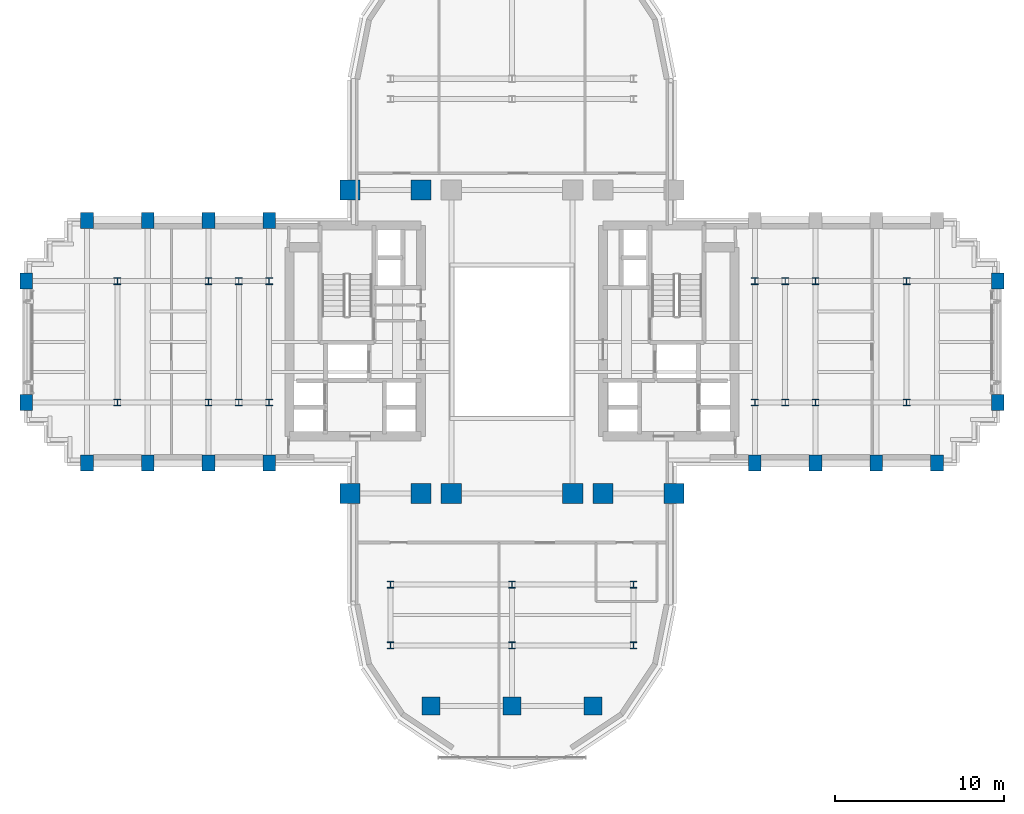
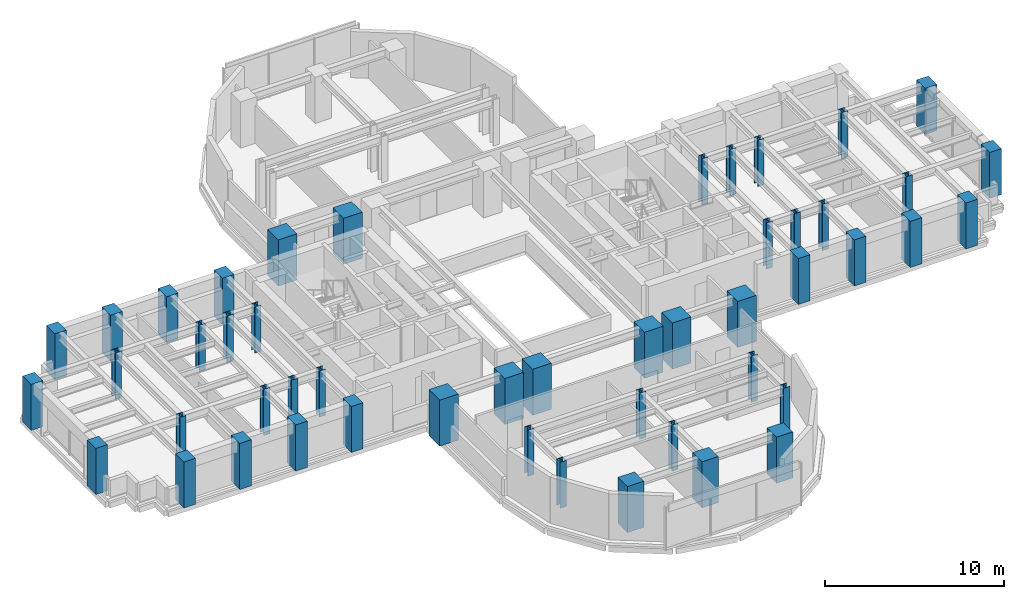
# One storey, part 1 of 16: 49 columns.
"""IFC4 building model written with IfcOpenShell, lengths in metres."""

from ifc_helpers import new_model, si_unit, direction, frame, origin, origin_2d, place, context, subcontext, project, spatial, rectangle, i_section, extrude, source, transform, mapped, material, material_profile, profile_set, type_object, element, save


model = new_model("IFC4")

# Units and contexts
model_context = context("Model", 3, precision=1e-05, world=origin(), true_north=direction((0.0, 1.0)))
body_context = subcontext(model_context, "Body", "Model", "MODEL_VIEW")
ifc_project = project(units=[si_unit("LENGTHUNIT", "METRE"), si_unit("AREAUNIT", "SQUARE_METRE"), si_unit("VOLUMEUNIT", "CUBIC_METRE"), si_unit("PLANEANGLEUNIT", "RADIAN"), si_unit("MASSUNIT", "GRAM", prefix="KILO")], contexts=[model_context])

# Site, building, storey
site_placement = place(None, origin())
site = spatial("IfcSite", under=ifc_project, at=site_placement, CompositionType="ELEMENT")
building_placement = place(site_placement, origin())
building = spatial("IfcBuilding", under=site, at=building_placement, Name="Keilestroom Media Tower", CompositionType="ELEMENT")
storey_placement = place(building_placement, frame((0.0, 0.0, 85.0)))
storey = spatial("IfcBuildingStorey", under=building, at=storey_placement, Name="L22", CompositionType="ELEMENT", Elevation=85.0)

# Columns
ifc_material_1 = material(Name="Precast concrete C40/50", Category="concrete")
ifc_material_profile_1 = material_profile(ifc_material_1, rectangle(XDim=0.75, YDim=0.949951171875, at=origin_2d()), Name="PC 950x750")
ifc_profile_set_1 = profile_set([ifc_material_profile_1], Name="Precast concrete C40/50")
column_type_1 = type_object("IfcColumnType", Name="Structural-Column-PC-950x750", PredefinedType="COLUMN", material=ifc_profile_set_1)
shared_shape_1 = source(origin(), body_context, "Body", "SweptSolid", [
    extrude(rectangle(XDim=0.75, YDim=0.949951171875, at=origin_2d()), origin(), (0.0, 0.0, 1.0), 3.139892578125),
])
for number, where, z_axis, x_axis, name in (
    (1, (-28.800048828125, -3.60009765625, 0.0), (0.0, 0.0, 1.0), (1.0, 0.0, 0.0), "L22 Column PC-1 (-28.8,-3.6)"),
    (2, (-28.800048828125, 3.60009765625, 0.0), (0.0, 0.0, 1.0), (1.0, 0.0, 0.0), "L22 Column PC-1 (-28.8,+3.6)"),
    (3, (-25.199951171875, -7.199951171875, 0.0), (0.0, 0.0, 1.0), (1.0, 0.0, 0.0), "L22 Column PC-1 (-25.2,-7.2)"),
    (4, (-25.199951171875, 7.199951171875, 0.0), (0.0, 0.0, 1.0), (1.0, 0.0, 0.0), "L22 Column PC-1 (-25.2,+7.2)"),
    (5, (-21.60009765625, -7.199951171875, 0.0), (0.0, 0.0, 1.0), (1.0, 0.0, 0.0), "L22 Column PC-1 (-21.6,-7.2)"),
    (6, (-21.60009765625, 7.199951171875, 0.0), (0.0, 0.0, 1.0), (1.0, 0.0, 0.0), "L22 Column PC-1 (-21.6,+7.2)"),
    (7, (-18.0, -7.199951171875, 0.0), (0.0, 0.0, 1.0), (1.0, 0.0, 0.0), "L22 Column PC-1 (-18.0,-7.2)"),
    (8, (-18.0, 7.199951171875, 0.0), (0.0, 0.0, 1.0), (1.0, 0.0, 0.0), "L22 Column PC-1 (-18.0,+7.2)"),
    (9, (-14.39990234375, -7.199951171875, 0.0), (0.0, 0.0, 1.0), (1.0, 0.0, 0.0), "L22 Column PC-1 (-14.4,-7.2)"),
    (10, (-14.39990234375, 7.199951171875, 0.0), (0.0, 0.0, 1.0), (1.0, 0.0, 0.0), "L22 Column PC-1 (-14.4,+7.2)"),
    (11, (14.39990234375, -7.199951171875, 0.0), (0.0, 0.0, 1.0), (1.0, 0.0, 0.0), "L22 Column PC-1 (+14.4,-7.2)"),
    (12, (18.0, -7.199951171875, 0.0), (0.0, 0.0, 1.0), (1.0, 0.0, 0.0), "L22 Column PC-1 (+18.0,-7.2)"),
    (13, (21.60009765625, -7.199951171875, 0.0), (0.0, 0.0, 1.0), (1.0, 0.0, 0.0), "L22 Column PC-1 (+21.6,-7.2)"),
    (14, (25.199951171875, -7.199951171875, 0.0), (0.0, 0.0, 1.0), (1.0, 0.0, 0.0), "L22 Column PC-1 (+25.2,-7.2)"),
    (15, (28.800048828125, -3.60009765625, 0.0), (0.0, 0.0, 1.0), (1.0, 0.0, 0.0), "L22 Column PC-1 (+28.8,-3.6)"),
    (16, (28.800048828125, 3.60009765625, 0.0), (0.0, 0.0, 1.0), (1.0, 0.0, 0.0), "L22 Column PC-1 (+28.8,+3.6)"),
):
    element("IfcColumn", number, at=place(storey_placement, frame(where, z_axis=z_axis, x_axis=x_axis)), inside=storey, type_object=column_type_1, Name=name, PredefinedType="COLUMN", context=body_context, shape_type="MappedRepresentation", body=[
        mapped(shared_shape_1, transform((0.0, 0.0, 0.0), x_axis=(1.0, 0.0, 0.0), y_axis=(0.0, 1.0, 0.0), z_axis=(0.0, 0.0, 1.0), scale=1.0)),
    ])
ifc_material_2 = material(Name="Steel S460", Category="steel")
ifc_material_profile_2 = material_profile(ifc_material_2, i_section(OverallWidth=0.404052734375, OverallDepth=0.406982421875, WebThickness=0.02197265625, FlangeThickness=0.035400390625, at=origin_2d()), Name="HD 400x347")
ifc_profile_set_2 = profile_set([ifc_material_profile_2], Name="Steel S460")
column_type_2 = type_object("IfcColumnType", Name="Structural-Column-HD-400x347", PredefinedType="COLUMN", material=ifc_profile_set_2)
shared_shape_2 = source(origin(), body_context, "Body", "SweptSolid", [
    extrude(i_section(OverallWidth=0.404052734375, OverallDepth=0.406982421875, WebThickness=0.02197265625, FlangeThickness=0.035400390625, at=origin_2d()), origin(), (0.0, 0.0, 1.0), 3.139892578125),
])
for number, where, z_axis, x_axis, name in (
    (17, (-23.39990234375, -3.60009765625, 0.0), (0.0, 0.0, 1.0), (1.0, 0.0, 0.0), "L22 Column SC-2 (-23.4,-3.6)"),
    (18, (-23.39990234375, 3.60009765625, 0.0), (0.0, 0.0, 1.0), (1.0, 0.0, 0.0), "L22 Column SC-2 (-23.4,+3.6)"),
    (19, (-18.0, -3.60009765625, 0.0), (0.0, 0.0, 1.0), (1.0, 0.0, 0.0), "L22 Column SC-2 (-18.0,-3.6)"),
    (20, (-18.0, 3.60009765625, 0.0), (0.0, 0.0, 1.0), (1.0, 0.0, 0.0), "L22 Column SC-2 (-18.0,+3.6)"),
    (21, (-16.199951171875, -3.60009765625, 0.0), (0.0, 0.0, 1.0), (1.0, 0.0, 0.0), "L22 Column SC-2 (-16.2,-3.6)"),
    (22, (-16.199951171875, 3.60009765625, 0.0), (0.0, 0.0, 1.0), (1.0, 0.0, 0.0), "L22 Column SC-2 (-16.2,+3.6)"),
    (23, (-14.39990234375, -3.60009765625, 0.0), (0.0, 0.0, 1.0), (1.0, 0.0, 0.0), "L22 Column SC-2 (-14.4,-3.6)"),
    (24, (-14.39990234375, 3.60009765625, 0.0), (0.0, 0.0, 1.0), (1.0, 0.0, 0.0), "L22 Column SC-2 (-14.4,+3.6)"),
    (25, (-7.199951171875, -18.0, 0.0), (0.0, 0.0, 1.0), (1.0, 0.0, 0.0), "L22 Column SC-2 (-7.2,-18.0)"),
    (26, (-7.199951171875, -14.39990234375, 0.0), (0.0, 0.0, 1.0), (1.0, 0.0, 0.0), "L22 Column SC-2 (-7.2,-14.4)"),
    (27, (0.0, -18.0, 0.0), (0.0, 0.0, 1.0), (1.0, 0.0, 0.0), "L22 Column SC-2 (+0.0,-18.0)"),
    (28, (0.0, -14.39990234375, 0.0), (0.0, 0.0, 1.0), (1.0, 0.0, 0.0), "L22 Column SC-2 (+0.0,-14.4)"),
    (29, (7.199951171875, -18.0, 0.0), (0.0, 0.0, 1.0), (1.0, 0.0, 0.0), "L22 Column SC-2 (+7.2,-18.0)"),
    (30, (7.199951171875, -14.39990234375, 0.0), (0.0, 0.0, 1.0), (1.0, 0.0, 0.0), "L22 Column SC-2 (+7.2,-14.4)"),
    (31, (14.39990234375, -3.60009765625, 0.0), (0.0, 0.0, 1.0), (1.0, 0.0, 0.0), "L22 Column SC-2 (+14.4,-3.6)"),
    (32, (14.39990234375, 3.60009765625, 0.0), (0.0, 0.0, 1.0), (1.0, 0.0, 0.0), "L22 Column SC-2 (+14.4,+3.6)"),
    (33, (16.199951171875, -3.60009765625, 0.0), (0.0, 0.0, 1.0), (1.0, 0.0, 0.0), "L22 Column SC-2 (+16.2,-3.6)"),
    (34, (16.199951171875, 3.60009765625, 0.0), (0.0, 0.0, 1.0), (1.0, 0.0, 0.0), "L22 Column SC-2 (+16.2,+3.6)"),
    (35, (18.0, -3.60009765625, 0.0), (0.0, 0.0, 1.0), (1.0, 0.0, 0.0), "L22 Column SC-2 (+18.0,-3.6)"),
    (36, (18.0, 3.60009765625, 0.0), (0.0, 0.0, 1.0), (1.0, 0.0, 0.0), "L22 Column SC-2 (+18.0,+3.6)"),
    (37, (23.39990234375, -3.60009765625, 0.0), (0.0, 0.0, 1.0), (1.0, 0.0, 0.0), "L22 Column SC-2 (+23.4,-3.6)"),
    (38, (23.39990234375, 3.60009765625, 0.0), (0.0, 0.0, 1.0), (1.0, 0.0, 0.0), "L22 Column SC-2 (+23.4,+3.6)"),
):
    element("IfcColumn", number, at=place(storey_placement, frame(where, z_axis=z_axis, x_axis=x_axis)), inside=storey, type_object=column_type_2, Name=name, PredefinedType="COLUMN", context=body_context, shape_type="MappedRepresentation", body=[
        mapped(shared_shape_2, transform((0.0, 0.0, 0.0), x_axis=(1.0, 0.0, 0.0), y_axis=(0.0, 1.0, 0.0), z_axis=(0.0, 0.0, 1.0), scale=1.0)),
    ])
ifc_material_3 = material(Name="Concrete C70/85", Category="concrete")
ifc_material_profile_3 = material_profile(ifc_material_3, rectangle(XDim=1.199951171875, YDim=1.199951171875, at=origin_2d()), Name="RC 1200x1200")
ifc_profile_set_3 = profile_set([ifc_material_profile_3], Name="Concrete C70/85")
column_type_3 = type_object("IfcColumnType", Name="Structural-Column-RC-1200x1200", PredefinedType="COLUMN", material=ifc_profile_set_3)
shared_shape_3 = source(origin(), body_context, "Body", "SweptSolid", [
    extrude(rectangle(XDim=1.199951171875, YDim=1.199951171875, at=origin_2d()), origin(), (0.0, 0.0, 1.0), 3.139892578125),
])
for number, where, z_axis, x_axis, name in (
    (39, (-9.60009765625, -9.0, 0.0), (0.0, 0.0, 1.0), (1.0, 0.0, 0.0), "L22 Column MC-2 (-9.6,-9.0)"),
    (40, (-9.60009765625, 9.0, 0.0), (0.0, 0.0, 1.0), (1.0, 0.0, 0.0), "L22 Column MC-2 (-9.6,+9.0)"),
    (41, (-5.39990234375, -9.0, 0.0), (0.0, 0.0, 1.0), (1.0, 0.0, 0.0), "L22 Column MC-2 (-5.4,-9.0)"),
    (42, (-5.39990234375, 9.0, 0.0), (0.0, 0.0, 1.0), (1.0, 0.0, 0.0), "L22 Column MC-2 (-5.4,+9.0)"),
    (43, (-3.60009765625, -9.0, 0.0), (0.0, 0.0, 1.0), (1.0, 0.0, 0.0), "L22 Column MC-2 (-3.6,-9.0)"),
    (44, (3.60009765625, -9.0, 0.0), (0.0, 0.0, 1.0), (1.0, 0.0, 0.0), "L22 Column MC-2 (+3.6,-9.0)"),
    (45, (5.39990234375, -9.0, 0.0), (0.0, 0.0, 1.0), (1.0, 0.0, 0.0), "L22 Column MC-2 (+5.4,-9.0)"),
    (46, (9.60009765625, -9.0, 0.0), (0.0, 0.0, 1.0), (1.0, 0.0, 0.0), "L22 Column MC-2 (+9.6,-9.0)"),
):
    element("IfcColumn", number, at=place(storey_placement, frame(where, z_axis=z_axis, x_axis=x_axis)), inside=storey, type_object=column_type_3, Name=name, PredefinedType="COLUMN", context=body_context, shape_type="MappedRepresentation", body=[
        mapped(shared_shape_3, transform((0.0, 0.0, 0.0), x_axis=(1.0, 0.0, 0.0), y_axis=(0.0, 1.0, 0.0), z_axis=(0.0, 0.0, 1.0), scale=1.0)),
    ])
ifc_material_4 = material(Name="Concrete C55/67", Category="concrete")
ifc_material_profile_4 = material_profile(ifc_material_4, rectangle(XDim=1.050048828125, YDim=1.050048828125, at=origin_2d()), Name="RC 1050x1050")
ifc_profile_set_4 = profile_set([ifc_material_profile_4], Name="Concrete C55/67")
column_type_4 = type_object("IfcColumnType", Name="Structural-Column-RC-1050x1050", PredefinedType="COLUMN", material=ifc_profile_set_4)
shared_shape_4 = source(origin(), body_context, "Body", "SweptSolid", [
    extrude(rectangle(XDim=1.050048828125, YDim=1.050048828125, at=origin_2d()), origin(), (0.0, 0.0, 1.0), 3.139892578125),
])
for number, where, z_axis, x_axis, name in (
    (47, (-4.800048828125, -21.60009765625, 0.0), (0.0, 0.0, 1.0), (1.0, 0.0, 0.0), "L22 Column MC-3 (-4.8,-21.6)"),
    (48, (0.0, -21.60009765625, 0.0), (0.0, 0.0, 1.0), (1.0, 0.0, 0.0), "L22 Column MC-3 (+0.0,-21.6)"),
    (49, (4.800048828125, -21.60009765625, 0.0), (0.0, 0.0, 1.0), (1.0, 0.0, 0.0), "L22 Column MC-3 (+4.8,-21.6)"),
):
    element("IfcColumn", number, at=place(storey_placement, frame(where, z_axis=z_axis, x_axis=x_axis)), inside=storey, type_object=column_type_4, Name=name, PredefinedType="COLUMN", context=body_context, shape_type="MappedRepresentation", body=[
        mapped(shared_shape_4, transform((0.0, 0.0, 0.0), x_axis=(1.0, 0.0, 0.0), y_axis=(0.0, 1.0, 0.0), z_axis=(0.0, 0.0, 1.0), scale=1.0)),
    ])

save(model, "model.ifc")
